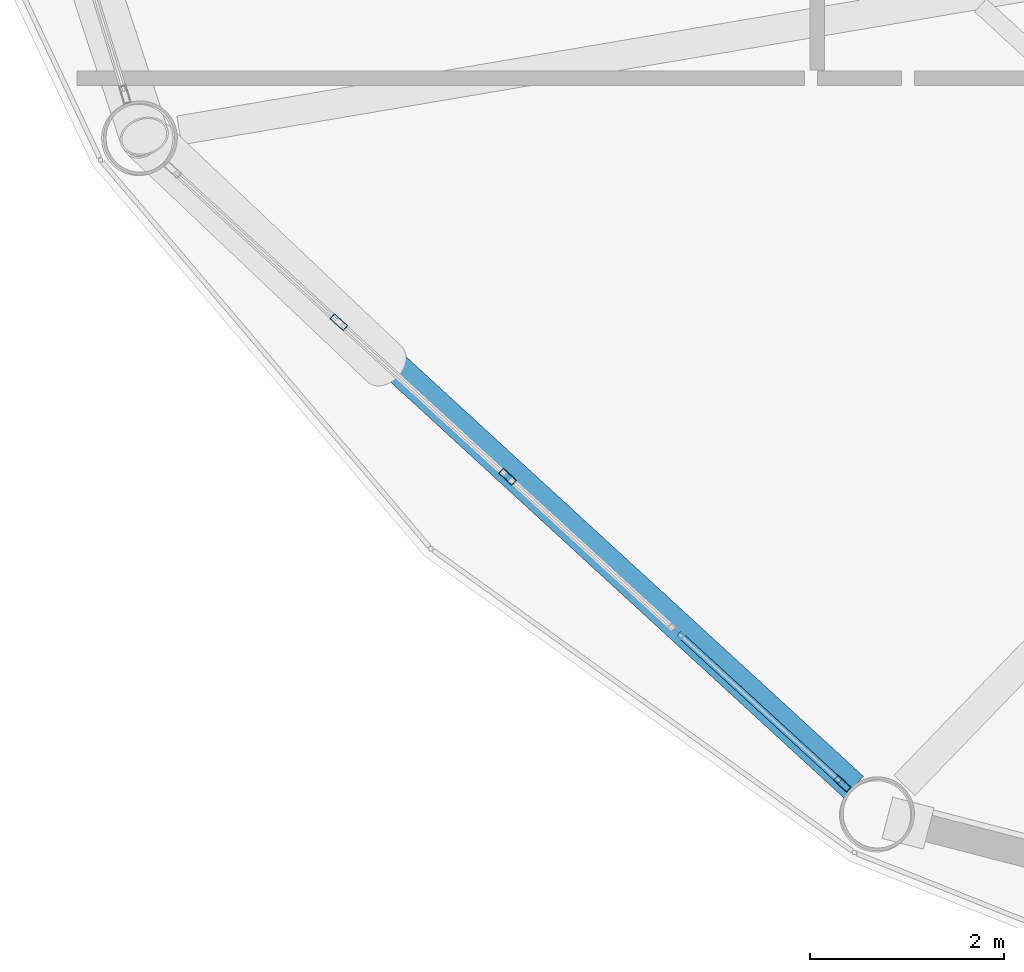
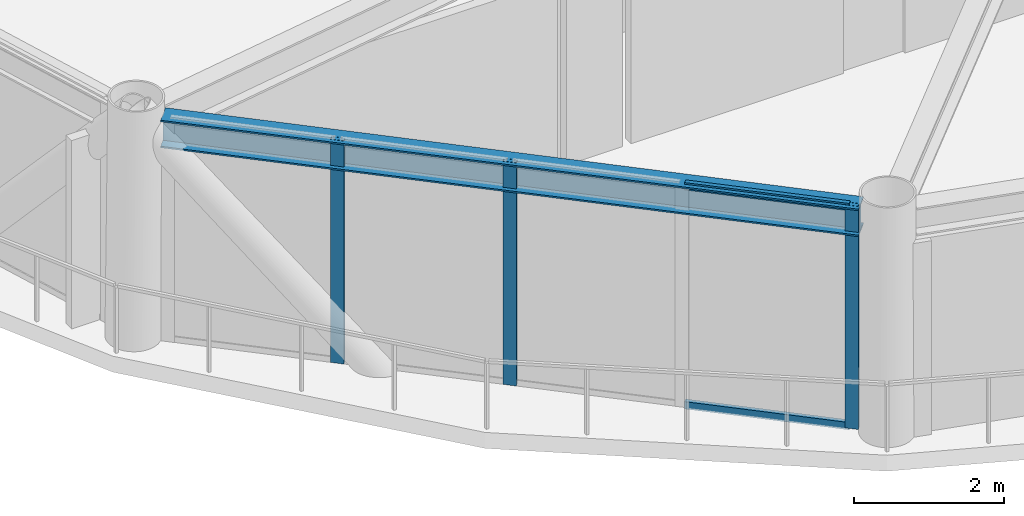
# One storey, part 2 of 27: 5 members, 1 beam, 1 element without a shape of its own.
"""IFC4 building model written with IfcOpenShell, lengths in metres."""

from ifc_helpers import new_model, si_unit, direction, frame, origin, origin_2d, place, context, subcontext, project, spatial, hollow_rectangle, i_section, extrude, material, layer, layer_set, material_profile, profile_set, type_object, element, aggregate, save


model = new_model("IFC4")

# Units and contexts
model_context = context("Model", 3, precision=1e-05, world=origin(), true_north=direction((0.0, 1.0)))
body_context = subcontext(model_context, "Body", "Model", "MODEL_VIEW")
ifc_project = project(units=[si_unit("LENGTHUNIT", "METRE"), si_unit("AREAUNIT", "SQUARE_METRE"), si_unit("VOLUMEUNIT", "CUBIC_METRE"), si_unit("PLANEANGLEUNIT", "RADIAN"), si_unit("MASSUNIT", "GRAM", prefix="KILO")], contexts=[model_context])

# Site, building, storey
site_placement = place(None, origin())
site = spatial("IfcSite", under=ifc_project, at=site_placement, CompositionType="ELEMENT")
building_placement = place(site_placement, origin())
building = spatial("IfcBuilding", under=site, at=building_placement, Name="Varnakorn Sky Granary", CompositionType="ELEMENT")
storey_placement = place(building_placement, frame((0.0, 0.0, 142.199951171875)))
storey = spatial("IfcBuildingStorey", under=building, at=storey_placement, Name="L35", CompositionType="ELEMENT", Elevation=142.199951171875)

# Beam
ifc_material_1 = material(Name="Steel S355JR", Category="steel")
ifc_material_profile_1 = material_profile(ifc_material_1, i_section(OverallWidth=0.300048828125, OverallDepth=0.449951171875, WebThickness=0.013916015625, FlangeThickness=0.02587890625, at=origin_2d()), Name="HE 450 B")
ifc_profile_set_1 = profile_set([ifc_material_profile_1], Name="Steel S355JR")
beam_type = type_object("IfcBeamType", Name="BM-SPD-Z3", PredefinedType="SPANDREL", material=ifc_profile_set_1)
beam_placement = place(storey_placement, frame((-19.169921875, -9.747802734375, 3.4150390625), z_axis=(0.736926112042, -0.675973302276, 0.0), x_axis=(0.675973302276, 0.736926112042, 0.0)))
element("IfcBeam", 1, at=beam_placement, inside=storey, type_object=beam_type, Name="Perimeter Spandrel Ring Beam RB08 L35", PredefinedType="SPANDREL", context=body_context, shape_type="SweptSolid", body=[
    extrude(i_section(OverallWidth=0.300048828125, OverallDepth=0.449951171875, WebThickness=0.013916015625, FlangeThickness=0.02587890625, at=origin_2d()), origin(), (0.0, 0.0, 1.0), 9.556884765625),
])

# Curtain wall, members
ifc_material_2 = material(Name="Anodised Bronze Aluminium Alloy 6063-T6", Category="aluminium")
ifc_layer = layer(ifc_material_2, 0.179931640625, Name="Anodised Bronze Aluminium Alloy 6063-T6")
ifc_layer_set = layer_set([ifc_layer], Name="Anodised Bronze Aluminium Alloy 6063-T6")
curtain_wall_type = type_object("IfcCurtainWallType", Name="CW-FRM-2", PredefinedType="USERDEFINED", material=ifc_layer_set)
curtain_wall_placement = place(storey_placement, origin())
curtain_wall = element("IfcCurtainWall", 2, at=curtain_wall_placement, inside=storey, type_object=curtain_wall_type, Name="Unitised Curtain Wall CW4 CW-L35-B08", ObjectType="CURTAIN WALL", PredefinedType="USERDEFINED")
ifc_material_profile_2 = material_profile(ifc_material_2, hollow_rectangle(XDim=0.070068359375, YDim=0.18505859375, WallThickness=0.00390625, at=origin_2d()), Name="ALU MULL 70x185")
ifc_profile_set_2 = profile_set([ifc_material_profile_2], Name="Anodised Bronze Aluminium Alloy 6063-T6")
member_type_1 = type_object("IfcMemberType", Name="CW-FRM-2-MULL", PredefinedType="MULLION", material=ifc_profile_set_2)
member_1_placement = place(storey_placement, frame((-12.241943359375, -16.174560546875, 0.0), z_axis=(0.0, 0.0, 1.0), x_axis=(-0.675684798243, -0.737190649305, 0.0)))
member_1 = element("IfcMember", 3, at=member_1_placement, type_object=member_type_1, Name="CW4 mullion 1", PredefinedType="MULLION", context=body_context, shape_type="SweptSolid", body=[
    extrude(hollow_rectangle(XDim=0.070068359375, YDim=0.18505859375, WallThickness=0.00390625, at=origin_2d()), origin(), (0.0, 0.0, 1.0), 3.64013671875),
])
member_2_placement = place(storey_placement, frame((-15.6943359375, -13.010009765625, 0.0), z_axis=(0.0, 0.0, 1.0), x_axis=(-0.675684798243, -0.737190649305, 0.0)))
member_2 = element("IfcMember", 4, at=member_2_placement, type_object=member_type_1, Name="CW4 mullion 3", PredefinedType="MULLION", context=body_context, shape_type="SweptSolid", body=[
    extrude(hollow_rectangle(XDim=0.070068359375, YDim=0.18505859375, WallThickness=0.00390625, at=origin_2d()), origin(), (0.0, 0.0, 1.0), 3.64013671875),
])
member_3_placement = place(storey_placement, frame((-17.43359375, -11.416015625, 0.0), z_axis=(0.0, 0.0, 1.0), x_axis=(-0.675684798243, -0.737190649305, 0.0)))
member_3 = element("IfcMember", 5, at=member_3_placement, type_object=member_type_1, Name="CW4 mullion 4", PredefinedType="MULLION", context=body_context, shape_type="SweptSolid", body=[
    extrude(hollow_rectangle(XDim=0.070068359375, YDim=0.18505859375, WallThickness=0.00390625, at=origin_2d()), origin(), (0.0, 0.0, 1.0), 3.64013671875),
])
ifc_material_profile_3 = material_profile(ifc_material_2, hollow_rectangle(XDim=0.06494140625, YDim=0.1201171875, WallThickness=0.00341796875, at=origin_2d()), Name="ALU TRAN 65x120")
ifc_profile_set_3 = profile_set([ifc_material_profile_3], Name="Anodised Bronze Aluminium Alloy 6063-T6")
member_type_2 = type_object("IfcMemberType", Name="CW-FRM-2-TRAN", PredefinedType="USERDEFINED", material=ifc_profile_set_3)
member_4_placement = place(storey_placement, frame((-12.267822265625, -16.15087890625, 0.032470703125), z_axis=(-0.737145148517, 0.675734437496, 0.0), x_axis=(-0.675734437496, -0.737145148517, 0.0)))
member_4 = element("IfcMember", 6, at=member_4_placement, type_object=member_type_2, Name="CW4 transom 1.1", ObjectType="TRANSOM", PredefinedType="USERDEFINED", context=body_context, shape_type="SweptSolid", body=[
    extrude(hollow_rectangle(XDim=0.06494140625, YDim=0.1201171875, WallThickness=0.00341796875, at=origin_2d()), origin(), (0.0, 0.0, 1.0), 2.254150390625),
])
member_5_placement = place(storey_placement, frame((-12.267822265625, -16.15087890625, 3.607666015625), z_axis=(-0.737145148517, 0.675734437496, 0.0), x_axis=(-0.675734437496, -0.737145148517, 0.0)))
member_5 = element("IfcMember", 7, at=member_5_placement, type_object=member_type_2, Name="CW4 transom 1.2", ObjectType="TRANSOM", PredefinedType="USERDEFINED", context=body_context, shape_type="SweptSolid", body=[
    extrude(hollow_rectangle(XDim=0.06494140625, YDim=0.1201171875, WallThickness=0.00341796875, at=origin_2d()), origin(), (0.0, 0.0, 1.0), 2.254150390625),
])
aggregate(curtain_wall, [member_1, member_2, member_3, member_4, member_5])

save(model, "model.ifc")
